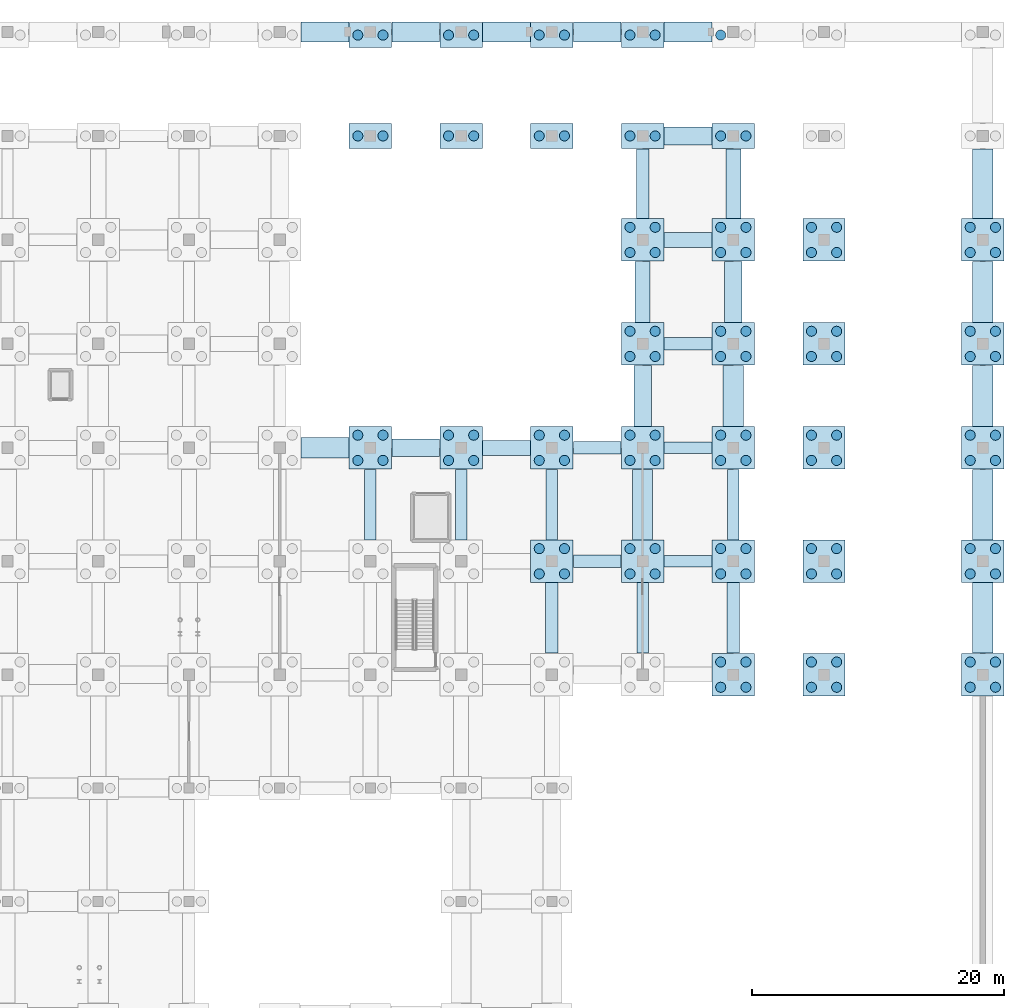
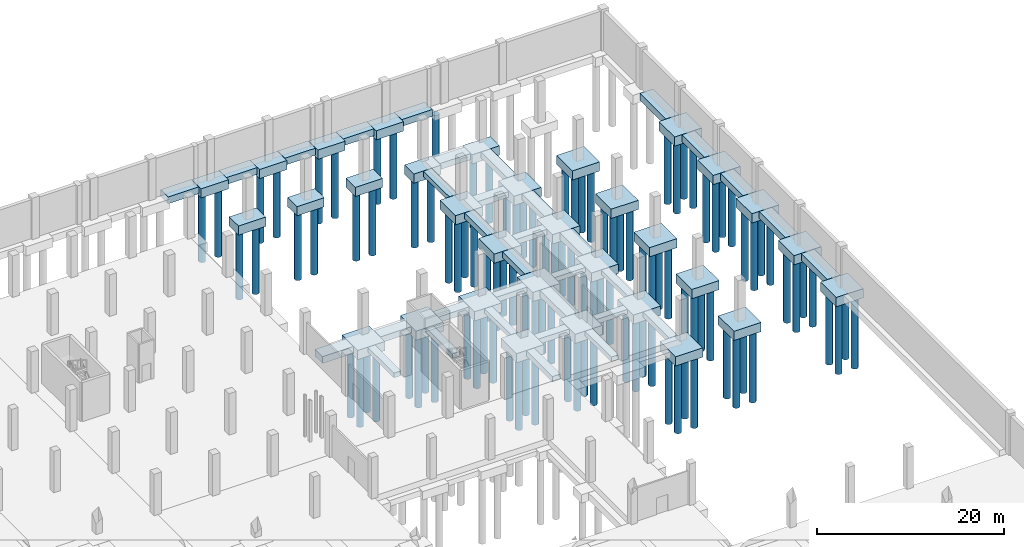
# One storey, part 11 of 42: 111 piles, 66 footings.
"""IFC4 building model written with IfcOpenShell, lengths in metres."""

from ifc_helpers import new_model, si_unit, direction, frame, origin, origin_2d, place, context, subcontext, project, spatial, rectangle, circle, extrude, material, material_profile, profile_set, type_object, element, save


model = new_model("IFC4")

# Units and contexts
model_context = context("Model", 3, precision=1e-05, world=origin(), true_north=direction((0.0, 1.0)))
body_context = subcontext(model_context, "Body", "Model", "MODEL_VIEW")
ifc_project = project(units=[si_unit("LENGTHUNIT", "METRE"), si_unit("AREAUNIT", "SQUARE_METRE"), si_unit("VOLUMEUNIT", "CUBIC_METRE"), si_unit("PLANEANGLEUNIT", "RADIAN"), si_unit("MASSUNIT", "GRAM", prefix="KILO")], contexts=[model_context])

# Site, building, storey
site_placement = place(None, origin())
site = spatial("IfcSite", under=ifc_project, at=site_placement, CompositionType="ELEMENT")
building_placement = place(site_placement, origin())
building = spatial("IfcBuilding", under=site, at=building_placement, Name="Sundgate Opera House", CompositionType="ELEMENT")
storey_placement = place(building_placement, frame((0.0, 0.0, -5.39990234375)))
storey = spatial("IfcBuildingStorey", under=building, at=storey_placement, Name="B01", CompositionType="ELEMENT", Elevation=-5.39990234375)

# Footings
ifc_material_1 = material(Name="Concrete C40/50", Category="concrete")
footing_type_1 = type_object("IfcFootingType", Name="FT-PC-3360x2000x1200", PredefinedType="PILE_CAP", material=ifc_material_1)
for number, where, z_axis, x_axis, name in (
    (1, (131.39990234375, 111.75, -1.2001953125), (0.0, 0.0, 1.0), (1.0, 0.0, 0.0), "Pile Cap F0228"),
    (2, (131.39990234375, 119.75, -1.2001953125), (0.0, 0.0, 1.0), (1.0, 0.0, 0.0), "Pile Cap F0229"),
    (3, (138.60009765625, 111.75, -1.2001953125), (0.0, 0.0, 1.0), (1.0, 0.0, 0.0), "Pile Cap F0241"),
    (4, (138.60009765625, 119.75, -1.2001953125), (0.0, 0.0, 1.0), (1.0, 0.0, 0.0), "Pile Cap F0242"),
    (5, (145.800048828125, 111.75, -1.2001953125), (0.0, 0.0, 1.0), (1.0, 0.0, 0.0), "Pile Cap F0254"),
    (6, (145.800048828125, 119.75, -1.2001953125), (0.0, 0.0, 1.0), (1.0, 0.0, 0.0), "Pile Cap F0255"),
    (7, (153.0, 111.75, -2.0), (0.0, 0.0, 1.0), (1.0, 0.0, 0.0), "Pile Cap F0266"),
    (8, (153.0, 119.75, -1.2001953125), (0.0, 0.0, 1.0), (1.0, 0.0, 0.0), "Pile Cap F0267"),
    (9, (160.199951171875, 111.75, -2.0), (0.0, 0.0, 1.0), (1.0, 0.0, 0.0), "Pile Cap F0278"),
):
    element("IfcFooting", number, at=place(storey_placement, frame(where, z_axis=z_axis, x_axis=x_axis)), inside=storey, type_object=footing_type_1, Name=name, PredefinedType="PILE_CAP", context=body_context, shape_type="SweptSolid", body=[
        extrude(rectangle(XDim=3.360107421875, YDim=2.0, at=origin_2d()), origin(), (0.0, 0.0, 1.0), 1.199951171875),
    ])
ifc_material_2 = material(Name="Concrete C40/50", Category="concrete")
footing_type_2 = type_object("IfcFootingType", Name="FT-PC-3360x3360x1200", PredefinedType="PILE_CAP", material=ifc_material_2)
for number, where, z_axis, x_axis, name in (
    (10, (131.39990234375, 87.0, -2.0), (0.0, 0.0, 1.0), (1.0, 0.0, 0.0), "Pile Cap F0227"),
    (11, (138.60009765625, 87.0, -2.0), (0.0, 0.0, 1.0), (1.0, 0.0, 0.0), "Pile Cap F0240"),
    (12, (145.800048828125, 78.0, -2.0), (0.0, 0.0, 1.0), (1.0, 0.0, 0.0), "Pile Cap F0252"),
    (13, (145.800048828125, 87.0, -2.0), (0.0, 0.0, 1.0), (1.0, 0.0, 0.0), "Pile Cap F0253"),
    (14, (153.0, 78.0, -2.0), (0.0, 0.0, 1.0), (1.0, 0.0, 0.0), "Pile Cap F0262"),
    (15, (153.0, 87.0, -2.0), (0.0, 0.0, 1.0), (1.0, 0.0, 0.0), "Pile Cap F0263"),
    (16, (153.0, 95.25, -2.0), (0.0, 0.0, 1.0), (1.0, 0.0, 0.0), "Pile Cap F0264"),
    (17, (153.0, 103.5, -2.0), (0.0, 0.0, 1.0), (1.0, 0.0, 0.0), "Pile Cap F0265"),
    (18, (160.199951171875, 69.0, -2.0), (0.0, 0.0, 1.0), (1.0, 0.0, 0.0), "Pile Cap F0273"),
    (19, (160.199951171875, 78.0, -2.0), (0.0, 0.0, 1.0), (1.0, 0.0, 0.0), "Pile Cap F0274"),
    (20, (160.199951171875, 87.0, -2.0), (0.0, 0.0, 1.0), (1.0, 0.0, 0.0), "Pile Cap F0275"),
    (21, (160.199951171875, 95.25, -2.0), (0.0, 0.0, 1.0), (1.0, 0.0, 0.0), "Pile Cap F0276"),
    (22, (160.199951171875, 103.5, -2.0), (0.0, 0.0, 1.0), (1.0, 0.0, 0.0), "Pile Cap F0277"),
    (23, (167.39990234375, 69.0, -1.2001953125), (0.0, 0.0, 1.0), (1.0, 0.0, 0.0), "Pile Cap F0285"),
    (24, (167.39990234375, 78.0, -1.2001953125), (0.0, 0.0, 1.0), (1.0, 0.0, 0.0), "Pile Cap F0286"),
    (25, (167.39990234375, 87.0, -1.2001953125), (0.0, 0.0, 1.0), (1.0, 0.0, 0.0), "Pile Cap F0287"),
    (26, (167.39990234375, 95.25, -1.2001953125), (0.0, 0.0, 1.0), (1.0, 0.0, 0.0), "Pile Cap F0288"),
    (27, (167.39990234375, 103.5, -1.2001953125), (0.0, 0.0, 1.0), (1.0, 0.0, 0.0), "Pile Cap F0289"),
    (28, (180.0, 69.0, -1.2001953125), (0.0, 0.0, 1.0), (1.0, 0.0, 0.0), "Pile Cap F0297"),
    (29, (180.0, 78.0, -1.2001953125), (0.0, 0.0, 1.0), (1.0, 0.0, 0.0), "Pile Cap F0298"),
    (30, (180.0, 87.0, -1.2001953125), (0.0, 0.0, 1.0), (1.0, 0.0, 0.0), "Pile Cap F0299"),
    (31, (180.0, 95.25, -1.2001953125), (0.0, 0.0, 1.0), (1.0, 0.0, 0.0), "Pile Cap F0300"),
    (32, (180.0, 103.5, -1.2001953125), (0.0, 0.0, 1.0), (1.0, 0.0, 0.0), "Pile Cap F0301"),
):
    element("IfcFooting", number, at=place(storey_placement, frame(where, z_axis=z_axis, x_axis=x_axis)), inside=storey, type_object=footing_type_2, Name=name, PredefinedType="PILE_CAP", context=body_context, shape_type="SweptSolid", body=[
        extrude(rectangle(XDim=3.360107421875, YDim=3.360107421875, at=origin_2d()), origin(), (0.0, 0.0, 1.0), 1.199951171875),
    ])
ifc_material_3 = material(Name="Concrete C35/45", Category="concrete")
footing_type_3 = type_object("IfcFootingType", Name="FT-STR-1000x700", PredefinedType="STRIP_FOOTING", material=ifc_material_3)
footing_1_placement = place(storey_placement, frame((145.800048828125, 73.5, -1.5), z_axis=(0.0, 0.0, 1.0), x_axis=(1.0, 0.0, 0.0)))
element("IfcFooting", 33, at=footing_1_placement, inside=storey, type_object=footing_type_3, Name="Strip Footing F0512", PredefinedType="STRIP_FOOTING", context=body_context, shape_type="SweptSolid", body=[
    extrude(rectangle(XDim=1.0, YDim=5.590087890625, at=origin_2d()), origin(), (0.0, 0.0, 1.0), 0.699951171875),
])
footing_2_placement = place(storey_placement, frame((153.0, 107.965087890625, -1.5), z_axis=(0.0, 0.0, 1.0), x_axis=(1.0, 0.0, 0.0)))
element("IfcFooting", 34, at=footing_2_placement, inside=storey, type_object=footing_type_3, Name="Strip Footing F0522", PredefinedType="STRIP_FOOTING", context=body_context, shape_type="SweptSolid", body=[
    extrude(rectangle(XDim=1.0, YDim=5.52001953125, at=origin_2d()), origin(), (0.0, 0.0, 1.0), 0.699951171875),
])
footing_3_placement = place(storey_placement, frame((160.199951171875, 73.5, -1.5), z_axis=(0.0, 0.0, 1.0), x_axis=(1.0, 0.0, 0.0)))
element("IfcFooting", 35, at=footing_3_placement, inside=storey, type_object=footing_type_3, Name="Strip Footing F0527", PredefinedType="STRIP_FOOTING", context=body_context, shape_type="SweptSolid", body=[
    extrude(rectangle(XDim=1.0, YDim=5.590087890625, at=origin_2d()), origin(), (0.0, 0.0, 1.0), 0.699951171875),
])
for number, where, z_axis, x_axis, name in (
    (36, (149.39990234375, 78.0, -1.5), (0.0, 0.0, 1.0), (1.0, 0.0, 0.0), "Strip Footing F0707"),
    (37, (149.39990234375, 87.0, -1.5), (0.0, 0.0, 1.0), (1.0, 0.0, 0.0), "Strip Footing F0727"),
    (38, (156.60009765625, 95.25, -1.5), (0.0, 0.0, 1.0), (1.0, 0.0, 0.0), "Strip Footing F0742"),
):
    element("IfcFooting", number, at=place(storey_placement, frame(where, z_axis=z_axis, x_axis=x_axis)), inside=storey, type_object=footing_type_3, Name=name, PredefinedType="STRIP_FOOTING", context=body_context, shape_type="SweptSolid", body=[
        extrude(rectangle(XDim=3.7900390625, YDim=1.0, at=origin_2d()), origin(), (0.0, 0.0, 1.0), 0.699951171875),
    ])
ifc_material_4 = material(Name="Concrete C35/45", Category="concrete")
footing_type_4 = type_object("IfcFootingType", Name="FT-STR-1200x750", PredefinedType="STRIP_FOOTING", material=ifc_material_4)
footing_4_placement = place(storey_placement, frame((153.0, 99.375, -1.550048828125), z_axis=(0.0, 0.0, 1.0), x_axis=(1.0, 0.0, 0.0)))
element("IfcFooting", 39, at=footing_4_placement, inside=storey, type_object=footing_type_4, Name="Strip Footing F0521", PredefinedType="STRIP_FOOTING", context=body_context, shape_type="SweptSolid", body=[
    extrude(rectangle(XDim=1.199951171875, YDim=4.840087890625, at=origin_2d()), origin(), (0.0, 0.0, 1.0), 0.75),
])
footing_5_placement = place(storey_placement, frame((160.199951171875, 107.965087890625, -1.550048828125), z_axis=(0.0, 0.0, 1.0), x_axis=(1.0, 0.0, 0.0)))
element("IfcFooting", 40, at=footing_5_placement, inside=storey, type_object=footing_type_4, Name="Strip Footing F0531", PredefinedType="STRIP_FOOTING", context=body_context, shape_type="SweptSolid", body=[
    extrude(rectangle(XDim=1.199951171875, YDim=5.52001953125, at=origin_2d()), origin(), (0.0, 0.0, 1.0), 0.75),
])
for number, where, z_axis, x_axis, name in (
    (41, (142.199951171875, 87.0, -1.550048828125), (0.0, 0.0, 1.0), (1.0, 0.0, 0.0), "Strip Footing F0726"),
    (42, (156.60009765625, 103.5, -1.550048828125), (0.0, 0.0, 1.0), (1.0, 0.0, 0.0), "Strip Footing F0756"),
):
    element("IfcFooting", number, at=place(storey_placement, frame(where, z_axis=z_axis, x_axis=x_axis)), inside=storey, type_object=footing_type_4, Name=name, PredefinedType="STRIP_FOOTING", context=body_context, shape_type="SweptSolid", body=[
        extrude(rectangle(XDim=3.7900390625, YDim=1.199951171875, at=origin_2d()), origin(), (0.0, 0.0, 1.0), 0.75),
    ])
ifc_material_5 = material(Name="Concrete C35/45", Category="concrete")
footing_type_5 = type_object("IfcFootingType", Name="FT-STR-1400x800", PredefinedType="STRIP_FOOTING", material=ifc_material_5)
for number, where, z_axis, x_axis, name in (
    (43, (153.0, 91.125, -1.60009765625), (0.0, 0.0, 1.0), (1.0, 0.0, 0.0), "Strip Footing F0520"),
    (44, (160.199951171875, 99.375, -1.60009765625), (0.0, 0.0, 1.0), (1.0, 0.0, 0.0), "Strip Footing F0530"),
):
    element("IfcFooting", number, at=place(storey_placement, frame(where, z_axis=z_axis, x_axis=x_axis)), inside=storey, type_object=footing_type_5, Name=name, PredefinedType="STRIP_FOOTING", context=body_context, shape_type="SweptSolid", body=[
        extrude(rectangle(XDim=1.39990234375, YDim=4.840087890625, at=origin_2d()), origin(), (0.0, 0.0, 1.0), 0.800048828125),
    ])
for number, where, z_axis, x_axis, name in (
    (45, (135.0, 87.0, -1.60009765625), (0.0, 0.0, 1.0), (1.0, 0.0, 0.0), "Strip Footing F0725"),
    (46, (156.60009765625, 111.75, -1.60009765625), (0.0, 0.0, 1.0), (1.0, 0.0, 0.0), "Strip Footing F0770"),
):
    element("IfcFooting", number, at=place(storey_placement, frame(where, z_axis=z_axis, x_axis=x_axis)), inside=storey, type_object=footing_type_5, Name=name, PredefinedType="STRIP_FOOTING", context=body_context, shape_type="SweptSolid", body=[
        extrude(rectangle(XDim=3.7900390625, YDim=1.39990234375, at=origin_2d()), origin(), (0.0, 0.0, 1.0), 0.800048828125),
    ])
ifc_material_6 = material(Name="Concrete C35/45", Category="concrete")
footing_type_6 = type_object("IfcFootingType", Name="FT-STR-1600x900", PredefinedType="STRIP_FOOTING", material=ifc_material_6)
footing_6_placement = place(storey_placement, frame((153.0, 82.5, -1.699951171875), z_axis=(0.0, 0.0, 1.0), x_axis=(1.0, 0.0, 0.0)))
element("IfcFooting", 47, at=footing_6_placement, inside=storey, type_object=footing_type_6, Name="Strip Footing F0519", PredefinedType="STRIP_FOOTING", context=body_context, shape_type="SweptSolid", body=[
    extrude(rectangle(XDim=1.60009765625, YDim=5.590087890625, at=origin_2d()), origin(), (0.0, 0.0, 1.0), 0.89990234375),
])
footing_7_placement = place(storey_placement, frame((160.199951171875, 91.125, -1.699951171875), z_axis=(0.0, 0.0, 1.0), x_axis=(1.0, 0.0, 0.0)))
element("IfcFooting", 48, at=footing_7_placement, inside=storey, type_object=footing_type_6, Name="Strip Footing F0529", PredefinedType="STRIP_FOOTING", context=body_context, shape_type="SweptSolid", body=[
    extrude(rectangle(XDim=1.60009765625, YDim=4.840087890625, at=origin_2d()), origin(), (0.0, 0.0, 1.0), 0.89990234375),
])
for number, where, z_axis, x_axis, name in (
    (49, (127.800048828125, 87.0, -1.699951171875), (0.0, 0.0, 1.0), (1.0, 0.0, 0.0), "Strip Footing F0724"),
    (50, (127.800048828125, 120.0, -0.900146484375), (0.0, 0.0, 1.0), (1.0, 0.0, 0.0), "Retaining Wall Strip Footing F0786"),
    (51, (135.0, 120.0, -0.900146484375), (0.0, 0.0, 1.0), (1.0, 0.0, 0.0), "Retaining Wall Strip Footing F0787"),
    (52, (142.199951171875, 120.0, -0.900146484375), (0.0, 0.0, 1.0), (1.0, 0.0, 0.0), "Retaining Wall Strip Footing F0788"),
    (53, (149.39990234375, 120.0, -0.900146484375), (0.0, 0.0, 1.0), (1.0, 0.0, 0.0), "Retaining Wall Strip Footing F0789"),
    (54, (156.60009765625, 120.0, -0.900146484375), (0.0, 0.0, 1.0), (1.0, 0.0, 0.0), "Retaining Wall Strip Footing F0790"),
):
    element("IfcFooting", number, at=place(storey_placement, frame(where, z_axis=z_axis, x_axis=x_axis)), inside=storey, type_object=footing_type_6, Name=name, PredefinedType="STRIP_FOOTING", context=body_context, shape_type="SweptSolid", body=[
        extrude(rectangle(XDim=3.7900390625, YDim=1.60009765625, at=origin_2d()), origin(), (0.0, 0.0, 1.0), 0.89990234375),
    ])
for number, where, z_axis, x_axis, name in (
    (55, (180.0, 73.5, -0.900146484375), (0.0, 0.0, 1.0), (1.0, 0.0, 0.0), "Retaining Wall Strip Footing F0794"),
    (56, (180.0, 82.5, -0.900146484375), (0.0, 0.0, 1.0), (1.0, 0.0, 0.0), "Retaining Wall Strip Footing F0795"),
):
    element("IfcFooting", number, at=place(storey_placement, frame(where, z_axis=z_axis, x_axis=x_axis)), inside=storey, type_object=footing_type_6, Name=name, PredefinedType="STRIP_FOOTING", context=body_context, shape_type="SweptSolid", body=[
        extrude(rectangle(XDim=1.60009765625, YDim=5.590087890625, at=origin_2d()), origin(), (0.0, 0.0, 1.0), 0.89990234375),
    ])
for number, where, z_axis, x_axis, name in (
    (57, (180.0, 91.125, -0.900146484375), (0.0, 0.0, 1.0), (1.0, 0.0, 0.0), "Retaining Wall Strip Footing F0796"),
    (58, (180.0, 99.375, -0.900146484375), (0.0, 0.0, 1.0), (1.0, 0.0, 0.0), "Retaining Wall Strip Footing F0797"),
):
    element("IfcFooting", number, at=place(storey_placement, frame(where, z_axis=z_axis, x_axis=x_axis)), inside=storey, type_object=footing_type_6, Name=name, PredefinedType="STRIP_FOOTING", context=body_context, shape_type="SweptSolid", body=[
        extrude(rectangle(XDim=1.60009765625, YDim=4.840087890625, at=origin_2d()), origin(), (0.0, 0.0, 1.0), 0.89990234375),
    ])
footing_8_placement = place(storey_placement, frame((180.0, 107.965087890625, -0.900146484375), z_axis=(0.0, 0.0, 1.0), x_axis=(1.0, 0.0, 0.0)))
element("IfcFooting", 59, at=footing_8_placement, inside=storey, type_object=footing_type_6, Name="Retaining Wall Strip Footing F0798", PredefinedType="STRIP_FOOTING", context=body_context, shape_type="SweptSolid", body=[
    extrude(rectangle(XDim=1.60009765625, YDim=5.52001953125, at=origin_2d()), origin(), (0.0, 0.0, 1.0), 0.89990234375),
])
ifc_material_7 = material(Name="Concrete C35/45", Category="concrete")
footing_type_7 = type_object("IfcFootingType", Name="FT-STR-900x600", PredefinedType="STRIP_FOOTING", material=ifc_material_7)
for number, where, z_axis, x_axis, name in (
    (60, (131.39990234375, 82.5, -1.400146484375), (0.0, 0.0, 1.0), (1.0, 0.0, 0.0), "Strip Footing F0493"),
    (61, (138.60009765625, 82.5, -1.400146484375), (0.0, 0.0, 1.0), (1.0, 0.0, 0.0), "Strip Footing F0503"),
    (62, (145.800048828125, 82.5, -1.400146484375), (0.0, 0.0, 1.0), (1.0, 0.0, 0.0), "Strip Footing F0513"),
    (63, (153.0, 73.5, -1.400146484375), (0.0, 0.0, 1.0), (1.0, 0.0, 0.0), "Strip Footing F0518"),
    (64, (160.199951171875, 82.5, -1.400146484375), (0.0, 0.0, 1.0), (1.0, 0.0, 0.0), "Strip Footing F0528"),
):
    element("IfcFooting", number, at=place(storey_placement, frame(where, z_axis=z_axis, x_axis=x_axis)), inside=storey, type_object=footing_type_7, Name=name, PredefinedType="STRIP_FOOTING", context=body_context, shape_type="SweptSolid", body=[
        extrude(rectangle(XDim=0.89990234375, YDim=5.590087890625, at=origin_2d()), origin(), (0.0, 0.0, 1.0), 0.60009765625),
    ])
for number, where, z_axis, x_axis, name in (
    (65, (156.60009765625, 78.0, -1.400146484375), (0.0, 0.0, 1.0), (1.0, 0.0, 0.0), "Strip Footing F0708"),
    (66, (156.60009765625, 87.0, -1.400146484375), (0.0, 0.0, 1.0), (1.0, 0.0, 0.0), "Strip Footing F0728"),
):
    element("IfcFooting", number, at=place(storey_placement, frame(where, z_axis=z_axis, x_axis=x_axis)), inside=storey, type_object=footing_type_7, Name=name, PredefinedType="STRIP_FOOTING", context=body_context, shape_type="SweptSolid", body=[
        extrude(rectangle(XDim=3.7900390625, YDim=0.89990234375, at=origin_2d()), origin(), (0.0, 0.0, 1.0), 0.60009765625),
    ])

# Piles
ifc_material_8 = material(Name="Concrete C40/50", Category="concrete")
ifc_material_profile = material_profile(ifc_material_8, circle(Radius=0.39990234375, at=origin_2d()), Name="PILE D800")
ifc_profile_set = profile_set([ifc_material_profile], Name="Concrete C40/50")
pile_type = type_object("IfcPileType", Name="PL-800", PredefinedType="BORED", material=ifc_profile_set)
for number, where, z_axis, x_axis, name in (
    (67, (130.39990234375, 86.0, -1.900146484375), (0.0, 0.0, -1.0), (1.0, 0.0, 0.0), "Rock-Socketed Pile P0653"),
    (68, (130.39990234375, 88.0, -1.900146484375), (0.0, 0.0, -1.0), (1.0, 0.0, 0.0), "Rock-Socketed Pile P0654"),
    (69, (132.39990234375, 86.0, -1.900146484375), (0.0, 0.0, -1.0), (1.0, 0.0, 0.0), "Rock-Socketed Pile P0655"),
    (70, (132.39990234375, 88.0, -1.900146484375), (0.0, 0.0, -1.0), (1.0, 0.0, 0.0), "Rock-Socketed Pile P0656"),
):
    element("IfcPile", number, at=place(storey_placement, frame(where, z_axis=z_axis, x_axis=x_axis)), inside=storey, type_object=pile_type, Name=name, PredefinedType="BORED", context=body_context, shape_type="SweptSolid", body=[
        extrude(circle(Radius=0.39990234375, at=origin_2d()), origin(), (0.0, 0.0, 1.0), 9.300048828125),
    ])
for number, where, z_axis, x_axis, name in (
    (71, (130.39990234375, 111.75, -1.10009765625), (0.0, 0.0, -1.0), (1.0, 0.0, 0.0), "Rock-Socketed Pile P0657"),
    (72, (132.39990234375, 111.75, -1.10009765625), (0.0, 0.0, -1.0), (1.0, 0.0, 0.0), "Rock-Socketed Pile P0658"),
    (73, (130.39990234375, 119.75, -1.10009765625), (0.0, 0.0, -1.0), (1.0, 0.0, 0.0), "Rock-Socketed Pile P0659"),
    (74, (132.39990234375, 119.75, -1.10009765625), (0.0, 0.0, -1.0), (1.0, 0.0, 0.0), "Rock-Socketed Pile P0660"),
):
    element("IfcPile", number, at=place(storey_placement, frame(where, z_axis=z_axis, x_axis=x_axis)), inside=storey, type_object=pile_type, Name=name, PredefinedType="BORED", context=body_context, shape_type="SweptSolid", body=[
        extrude(circle(Radius=0.39990234375, at=origin_2d()), origin(), (0.0, 0.0, 1.0), 9.10009765625),
    ])
for number, where, z_axis, x_axis, name in (
    (75, (137.60009765625, 86.0, -1.900146484375), (0.0, 0.0, -1.0), (1.0, 0.0, 0.0), "Rock-Socketed Pile P0693"),
    (76, (137.60009765625, 88.0, -1.900146484375), (0.0, 0.0, -1.0), (1.0, 0.0, 0.0), "Rock-Socketed Pile P0694"),
    (77, (139.60009765625, 86.0, -1.900146484375), (0.0, 0.0, -1.0), (1.0, 0.0, 0.0), "Rock-Socketed Pile P0695"),
    (78, (139.60009765625, 88.0, -1.900146484375), (0.0, 0.0, -1.0), (1.0, 0.0, 0.0), "Rock-Socketed Pile P0696"),
):
    element("IfcPile", number, at=place(storey_placement, frame(where, z_axis=z_axis, x_axis=x_axis)), inside=storey, type_object=pile_type, Name=name, PredefinedType="BORED", context=body_context, shape_type="SweptSolid", body=[
        extrude(circle(Radius=0.39990234375, at=origin_2d()), origin(), (0.0, 0.0, 1.0), 9.300048828125),
    ])
for number, where, z_axis, x_axis, name in (
    (79, (137.60009765625, 111.75, -1.10009765625), (0.0, 0.0, -1.0), (1.0, 0.0, 0.0), "Rock-Socketed Pile P0697"),
    (80, (139.60009765625, 111.75, -1.10009765625), (0.0, 0.0, -1.0), (1.0, 0.0, 0.0), "Rock-Socketed Pile P0698"),
    (81, (137.60009765625, 119.75, -1.10009765625), (0.0, 0.0, -1.0), (1.0, 0.0, 0.0), "Rock-Socketed Pile P0699"),
    (82, (139.60009765625, 119.75, -1.10009765625), (0.0, 0.0, -1.0), (1.0, 0.0, 0.0), "Rock-Socketed Pile P0700"),
):
    element("IfcPile", number, at=place(storey_placement, frame(where, z_axis=z_axis, x_axis=x_axis)), inside=storey, type_object=pile_type, Name=name, PredefinedType="BORED", context=body_context, shape_type="SweptSolid", body=[
        extrude(circle(Radius=0.39990234375, at=origin_2d()), origin(), (0.0, 0.0, 1.0), 9.10009765625),
    ])
for number, where, z_axis, x_axis, name in (
    (83, (144.800048828125, 77.0, -1.900146484375), (0.0, 0.0, -1.0), (1.0, 0.0, 0.0), "Rock-Socketed Pile P0729"),
    (84, (144.800048828125, 79.0, -1.900146484375), (0.0, 0.0, -1.0), (1.0, 0.0, 0.0), "Rock-Socketed Pile P0730"),
    (85, (146.800048828125, 77.0, -1.900146484375), (0.0, 0.0, -1.0), (1.0, 0.0, 0.0), "Rock-Socketed Pile P0731"),
    (86, (146.800048828125, 79.0, -1.900146484375), (0.0, 0.0, -1.0), (1.0, 0.0, 0.0), "Rock-Socketed Pile P0732"),
    (87, (144.800048828125, 86.0, -1.900146484375), (0.0, 0.0, -1.0), (1.0, 0.0, 0.0), "Rock-Socketed Pile P0733"),
    (88, (144.800048828125, 88.0, -1.900146484375), (0.0, 0.0, -1.0), (1.0, 0.0, 0.0), "Rock-Socketed Pile P0734"),
    (89, (146.800048828125, 86.0, -1.900146484375), (0.0, 0.0, -1.0), (1.0, 0.0, 0.0), "Rock-Socketed Pile P0735"),
    (90, (146.800048828125, 88.0, -1.900146484375), (0.0, 0.0, -1.0), (1.0, 0.0, 0.0), "Rock-Socketed Pile P0736"),
):
    element("IfcPile", number, at=place(storey_placement, frame(where, z_axis=z_axis, x_axis=x_axis)), inside=storey, type_object=pile_type, Name=name, PredefinedType="BORED", context=body_context, shape_type="SweptSolid", body=[
        extrude(circle(Radius=0.39990234375, at=origin_2d()), origin(), (0.0, 0.0, 1.0), 9.300048828125),
    ])
for number, where, z_axis, x_axis, name in (
    (91, (144.800048828125, 111.75, -1.10009765625), (0.0, 0.0, -1.0), (1.0, 0.0, 0.0), "Rock-Socketed Pile P0737"),
    (92, (146.800048828125, 111.75, -1.10009765625), (0.0, 0.0, -1.0), (1.0, 0.0, 0.0), "Rock-Socketed Pile P0738"),
    (93, (144.800048828125, 119.75, -1.10009765625), (0.0, 0.0, -1.0), (1.0, 0.0, 0.0), "Rock-Socketed Pile P0739"),
    (94, (146.800048828125, 119.75, -1.10009765625), (0.0, 0.0, -1.0), (1.0, 0.0, 0.0), "Rock-Socketed Pile P0740"),
):
    element("IfcPile", number, at=place(storey_placement, frame(where, z_axis=z_axis, x_axis=x_axis)), inside=storey, type_object=pile_type, Name=name, PredefinedType="BORED", context=body_context, shape_type="SweptSolid", body=[
        extrude(circle(Radius=0.39990234375, at=origin_2d()), origin(), (0.0, 0.0, 1.0), 9.10009765625),
    ])
for number, where, z_axis, x_axis, name in (
    (95, (152.0, 77.0, -1.900146484375), (0.0, 0.0, -1.0), (1.0, 0.0, 0.0), "Rock-Socketed Pile P0763"),
    (96, (152.0, 79.0, -1.900146484375), (0.0, 0.0, -1.0), (1.0, 0.0, 0.0), "Rock-Socketed Pile P0764"),
    (97, (154.0, 77.0, -1.900146484375), (0.0, 0.0, -1.0), (1.0, 0.0, 0.0), "Rock-Socketed Pile P0765"),
    (98, (154.0, 79.0, -1.900146484375), (0.0, 0.0, -1.0), (1.0, 0.0, 0.0), "Rock-Socketed Pile P0766"),
    (99, (152.0, 86.0, -1.900146484375), (0.0, 0.0, -1.0), (1.0, 0.0, 0.0), "Rock-Socketed Pile P0767"),
    (100, (152.0, 88.0, -1.900146484375), (0.0, 0.0, -1.0), (1.0, 0.0, 0.0), "Rock-Socketed Pile P0768"),
    (101, (154.0, 86.0, -1.900146484375), (0.0, 0.0, -1.0), (1.0, 0.0, 0.0), "Rock-Socketed Pile P0769"),
    (102, (154.0, 88.0, -1.900146484375), (0.0, 0.0, -1.0), (1.0, 0.0, 0.0), "Rock-Socketed Pile P0770"),
    (103, (152.0, 94.25, -1.900146484375), (0.0, 0.0, -1.0), (1.0, 0.0, 0.0), "Rock-Socketed Pile P0771"),
    (104, (152.0, 96.25, -1.900146484375), (0.0, 0.0, -1.0), (1.0, 0.0, 0.0), "Rock-Socketed Pile P0772"),
    (105, (154.0, 94.25, -1.900146484375), (0.0, 0.0, -1.0), (1.0, 0.0, 0.0), "Rock-Socketed Pile P0773"),
    (106, (154.0, 96.25, -1.900146484375), (0.0, 0.0, -1.0), (1.0, 0.0, 0.0), "Rock-Socketed Pile P0774"),
    (107, (152.0, 102.5, -1.900146484375), (0.0, 0.0, -1.0), (1.0, 0.0, 0.0), "Rock-Socketed Pile P0775"),
    (108, (152.0, 104.5, -1.900146484375), (0.0, 0.0, -1.0), (1.0, 0.0, 0.0), "Rock-Socketed Pile P0776"),
    (109, (154.0, 102.5, -1.900146484375), (0.0, 0.0, -1.0), (1.0, 0.0, 0.0), "Rock-Socketed Pile P0777"),
    (110, (154.0, 104.5, -1.900146484375), (0.0, 0.0, -1.0), (1.0, 0.0, 0.0), "Rock-Socketed Pile P0778"),
):
    element("IfcPile", number, at=place(storey_placement, frame(where, z_axis=z_axis, x_axis=x_axis)), inside=storey, type_object=pile_type, Name=name, PredefinedType="BORED", context=body_context, shape_type="SweptSolid", body=[
        extrude(circle(Radius=0.39990234375, at=origin_2d()), origin(), (0.0, 0.0, 1.0), 9.300048828125),
    ])
for number, where, z_axis, x_axis, name in (
    (111, (152.0, 111.75, -1.900146484375), (0.0, 0.0, -1.0), (1.0, 0.0, 0.0), "Rock-Socketed Pile P0779"),
    (112, (154.0, 111.75, -1.900146484375), (0.0, 0.0, -1.0), (1.0, 0.0, 0.0), "Rock-Socketed Pile P0780"),
    (113, (152.0, 119.75, -1.10009765625), (0.0, 0.0, -1.0), (1.0, 0.0, 0.0), "Rock-Socketed Pile P0781"),
    (114, (154.0, 119.75, -1.10009765625), (0.0, 0.0, -1.0), (1.0, 0.0, 0.0), "Rock-Socketed Pile P0782"),
):
    element("IfcPile", number, at=place(storey_placement, frame(where, z_axis=z_axis, x_axis=x_axis)), inside=storey, type_object=pile_type, Name=name, PredefinedType="BORED", context=body_context, shape_type="SweptSolid", body=[
        extrude(circle(Radius=0.39990234375, at=origin_2d()), origin(), (0.0, 0.0, 1.0), 9.10009765625),
    ])
for number, where, z_axis, x_axis, name in (
    (115, (159.199951171875, 68.0, -1.900146484375), (0.0, 0.0, -1.0), (1.0, 0.0, 0.0), "Rock-Socketed Pile P0801"),
    (116, (159.199951171875, 70.0, -1.900146484375), (0.0, 0.0, -1.0), (1.0, 0.0, 0.0), "Rock-Socketed Pile P0802"),
    (117, (161.199951171875, 68.0, -1.900146484375), (0.0, 0.0, -1.0), (1.0, 0.0, 0.0), "Rock-Socketed Pile P0803"),
    (118, (161.199951171875, 70.0, -1.900146484375), (0.0, 0.0, -1.0), (1.0, 0.0, 0.0), "Rock-Socketed Pile P0804"),
    (119, (159.199951171875, 77.0, -1.900146484375), (0.0, 0.0, -1.0), (1.0, 0.0, 0.0), "Rock-Socketed Pile P0805"),
    (120, (159.199951171875, 79.0, -1.900146484375), (0.0, 0.0, -1.0), (1.0, 0.0, 0.0), "Rock-Socketed Pile P0806"),
    (121, (161.199951171875, 77.0, -1.900146484375), (0.0, 0.0, -1.0), (1.0, 0.0, 0.0), "Rock-Socketed Pile P0807"),
    (122, (161.199951171875, 79.0, -1.900146484375), (0.0, 0.0, -1.0), (1.0, 0.0, 0.0), "Rock-Socketed Pile P0808"),
    (123, (159.199951171875, 86.0, -1.900146484375), (0.0, 0.0, -1.0), (1.0, 0.0, 0.0), "Rock-Socketed Pile P0809"),
    (124, (159.199951171875, 88.0, -1.900146484375), (0.0, 0.0, -1.0), (1.0, 0.0, 0.0), "Rock-Socketed Pile P0810"),
    (125, (161.199951171875, 86.0, -1.900146484375), (0.0, 0.0, -1.0), (1.0, 0.0, 0.0), "Rock-Socketed Pile P0811"),
    (126, (161.199951171875, 88.0, -1.900146484375), (0.0, 0.0, -1.0), (1.0, 0.0, 0.0), "Rock-Socketed Pile P0812"),
    (127, (159.199951171875, 94.25, -1.900146484375), (0.0, 0.0, -1.0), (1.0, 0.0, 0.0), "Rock-Socketed Pile P0813"),
    (128, (159.199951171875, 96.25, -1.900146484375), (0.0, 0.0, -1.0), (1.0, 0.0, 0.0), "Rock-Socketed Pile P0814"),
    (129, (161.199951171875, 94.25, -1.900146484375), (0.0, 0.0, -1.0), (1.0, 0.0, 0.0), "Rock-Socketed Pile P0815"),
    (130, (161.199951171875, 96.25, -1.900146484375), (0.0, 0.0, -1.0), (1.0, 0.0, 0.0), "Rock-Socketed Pile P0816"),
    (131, (159.199951171875, 102.5, -1.900146484375), (0.0, 0.0, -1.0), (1.0, 0.0, 0.0), "Rock-Socketed Pile P0817"),
    (132, (159.199951171875, 104.5, -1.900146484375), (0.0, 0.0, -1.0), (1.0, 0.0, 0.0), "Rock-Socketed Pile P0818"),
    (133, (161.199951171875, 102.5, -1.900146484375), (0.0, 0.0, -1.0), (1.0, 0.0, 0.0), "Rock-Socketed Pile P0819"),
    (134, (161.199951171875, 104.5, -1.900146484375), (0.0, 0.0, -1.0), (1.0, 0.0, 0.0), "Rock-Socketed Pile P0820"),
):
    element("IfcPile", number, at=place(storey_placement, frame(where, z_axis=z_axis, x_axis=x_axis)), inside=storey, type_object=pile_type, Name=name, PredefinedType="BORED", context=body_context, shape_type="SweptSolid", body=[
        extrude(circle(Radius=0.39990234375, at=origin_2d()), origin(), (0.0, 0.0, 1.0), 9.300048828125),
    ])
for number, where, z_axis, x_axis, name in (
    (135, (159.199951171875, 111.75, -1.900146484375), (0.0, 0.0, -1.0), (1.0, 0.0, 0.0), "Rock-Socketed Pile P0821"),
    (136, (161.199951171875, 111.75, -1.900146484375), (0.0, 0.0, -1.0), (1.0, 0.0, 0.0), "Rock-Socketed Pile P0822"),
    (137, (159.199951171875, 119.75, -1.10009765625), (0.0, 0.0, -1.0), (1.0, 0.0, 0.0), "Rock-Socketed Pile P0823"),
):
    element("IfcPile", number, at=place(storey_placement, frame(where, z_axis=z_axis, x_axis=x_axis)), inside=storey, type_object=pile_type, Name=name, PredefinedType="BORED", context=body_context, shape_type="SweptSolid", body=[
        extrude(circle(Radius=0.39990234375, at=origin_2d()), origin(), (0.0, 0.0, 1.0), 9.10009765625),
    ])
for number, where, z_axis, x_axis, name in (
    (138, (166.39990234375, 68.0, -1.10009765625), (0.0, 0.0, -1.0), (1.0, 0.0, 0.0), "Rock-Socketed Pile P0843"),
    (139, (166.39990234375, 70.0, -1.10009765625), (0.0, 0.0, -1.0), (1.0, 0.0, 0.0), "Rock-Socketed Pile P0844"),
    (140, (168.39990234375, 68.0, -1.10009765625), (0.0, 0.0, -1.0), (1.0, 0.0, 0.0), "Rock-Socketed Pile P0845"),
    (141, (168.39990234375, 70.0, -1.10009765625), (0.0, 0.0, -1.0), (1.0, 0.0, 0.0), "Rock-Socketed Pile P0846"),
    (142, (166.39990234375, 77.0, -1.10009765625), (0.0, 0.0, -1.0), (1.0, 0.0, 0.0), "Rock-Socketed Pile P0847"),
    (143, (166.39990234375, 79.0, -1.10009765625), (0.0, 0.0, -1.0), (1.0, 0.0, 0.0), "Rock-Socketed Pile P0848"),
    (144, (168.39990234375, 77.0, -1.10009765625), (0.0, 0.0, -1.0), (1.0, 0.0, 0.0), "Rock-Socketed Pile P0849"),
    (145, (168.39990234375, 79.0, -1.10009765625), (0.0, 0.0, -1.0), (1.0, 0.0, 0.0), "Rock-Socketed Pile P0850"),
    (146, (166.39990234375, 86.0, -1.10009765625), (0.0, 0.0, -1.0), (1.0, 0.0, 0.0), "Rock-Socketed Pile P0851"),
    (147, (166.39990234375, 88.0, -1.10009765625), (0.0, 0.0, -1.0), (1.0, 0.0, 0.0), "Rock-Socketed Pile P0852"),
    (148, (168.39990234375, 86.0, -1.10009765625), (0.0, 0.0, -1.0), (1.0, 0.0, 0.0), "Rock-Socketed Pile P0853"),
    (149, (168.39990234375, 88.0, -1.10009765625), (0.0, 0.0, -1.0), (1.0, 0.0, 0.0), "Rock-Socketed Pile P0854"),
    (150, (166.39990234375, 94.25, -1.10009765625), (0.0, 0.0, -1.0), (1.0, 0.0, 0.0), "Rock-Socketed Pile P0855"),
    (151, (166.39990234375, 96.25, -1.10009765625), (0.0, 0.0, -1.0), (1.0, 0.0, 0.0), "Rock-Socketed Pile P0856"),
    (152, (168.39990234375, 94.25, -1.10009765625), (0.0, 0.0, -1.0), (1.0, 0.0, 0.0), "Rock-Socketed Pile P0857"),
    (153, (168.39990234375, 96.25, -1.10009765625), (0.0, 0.0, -1.0), (1.0, 0.0, 0.0), "Rock-Socketed Pile P0858"),
    (154, (166.39990234375, 102.5, -1.10009765625), (0.0, 0.0, -1.0), (1.0, 0.0, 0.0), "Rock-Socketed Pile P0859"),
    (155, (166.39990234375, 104.5, -1.10009765625), (0.0, 0.0, -1.0), (1.0, 0.0, 0.0), "Rock-Socketed Pile P0860"),
    (156, (168.39990234375, 102.5, -1.10009765625), (0.0, 0.0, -1.0), (1.0, 0.0, 0.0), "Rock-Socketed Pile P0861"),
    (157, (168.39990234375, 104.5, -1.10009765625), (0.0, 0.0, -1.0), (1.0, 0.0, 0.0), "Rock-Socketed Pile P0862"),
    (158, (179.0, 68.0, -1.10009765625), (0.0, 0.0, -1.0), (1.0, 0.0, 0.0), "Rock-Socketed Pile P0885"),
    (159, (179.0, 70.0, -1.10009765625), (0.0, 0.0, -1.0), (1.0, 0.0, 0.0), "Rock-Socketed Pile P0886"),
    (160, (181.0, 68.0, -1.10009765625), (0.0, 0.0, -1.0), (1.0, 0.0, 0.0), "Rock-Socketed Pile P0887"),
    (161, (181.0, 70.0, -1.10009765625), (0.0, 0.0, -1.0), (1.0, 0.0, 0.0), "Rock-Socketed Pile P0888"),
    (162, (179.0, 77.0, -1.10009765625), (0.0, 0.0, -1.0), (1.0, 0.0, 0.0), "Rock-Socketed Pile P0889"),
    (163, (179.0, 79.0, -1.10009765625), (0.0, 0.0, -1.0), (1.0, 0.0, 0.0), "Rock-Socketed Pile P0890"),
    (164, (181.0, 77.0, -1.10009765625), (0.0, 0.0, -1.0), (1.0, 0.0, 0.0), "Rock-Socketed Pile P0891"),
    (165, (181.0, 79.0, -1.10009765625), (0.0, 0.0, -1.0), (1.0, 0.0, 0.0), "Rock-Socketed Pile P0892"),
    (166, (179.0, 86.0, -1.10009765625), (0.0, 0.0, -1.0), (1.0, 0.0, 0.0), "Rock-Socketed Pile P0893"),
    (167, (179.0, 88.0, -1.10009765625), (0.0, 0.0, -1.0), (1.0, 0.0, 0.0), "Rock-Socketed Pile P0894"),
    (168, (181.0, 86.0, -1.10009765625), (0.0, 0.0, -1.0), (1.0, 0.0, 0.0), "Rock-Socketed Pile P0895"),
    (169, (181.0, 88.0, -1.10009765625), (0.0, 0.0, -1.0), (1.0, 0.0, 0.0), "Rock-Socketed Pile P0896"),
    (170, (179.0, 94.25, -1.10009765625), (0.0, 0.0, -1.0), (1.0, 0.0, 0.0), "Rock-Socketed Pile P0897"),
    (171, (179.0, 96.25, -1.10009765625), (0.0, 0.0, -1.0), (1.0, 0.0, 0.0), "Rock-Socketed Pile P0898"),
    (172, (181.0, 94.25, -1.10009765625), (0.0, 0.0, -1.0), (1.0, 0.0, 0.0), "Rock-Socketed Pile P0899"),
    (173, (181.0, 96.25, -1.10009765625), (0.0, 0.0, -1.0), (1.0, 0.0, 0.0), "Rock-Socketed Pile P0900"),
    (174, (179.0, 102.5, -1.10009765625), (0.0, 0.0, -1.0), (1.0, 0.0, 0.0), "Rock-Socketed Pile P0901"),
    (175, (179.0, 104.5, -1.10009765625), (0.0, 0.0, -1.0), (1.0, 0.0, 0.0), "Rock-Socketed Pile P0902"),
    (176, (181.0, 102.5, -1.10009765625), (0.0, 0.0, -1.0), (1.0, 0.0, 0.0), "Rock-Socketed Pile P0903"),
    (177, (181.0, 104.5, -1.10009765625), (0.0, 0.0, -1.0), (1.0, 0.0, 0.0), "Rock-Socketed Pile P0904"),
):
    element("IfcPile", number, at=place(storey_placement, frame(where, z_axis=z_axis, x_axis=x_axis)), inside=storey, type_object=pile_type, Name=name, PredefinedType="BORED", context=body_context, shape_type="SweptSolid", body=[
        extrude(circle(Radius=0.39990234375, at=origin_2d()), origin(), (0.0, 0.0, 1.0), 9.300048828125),
    ])

save(model, "model.ifc")
